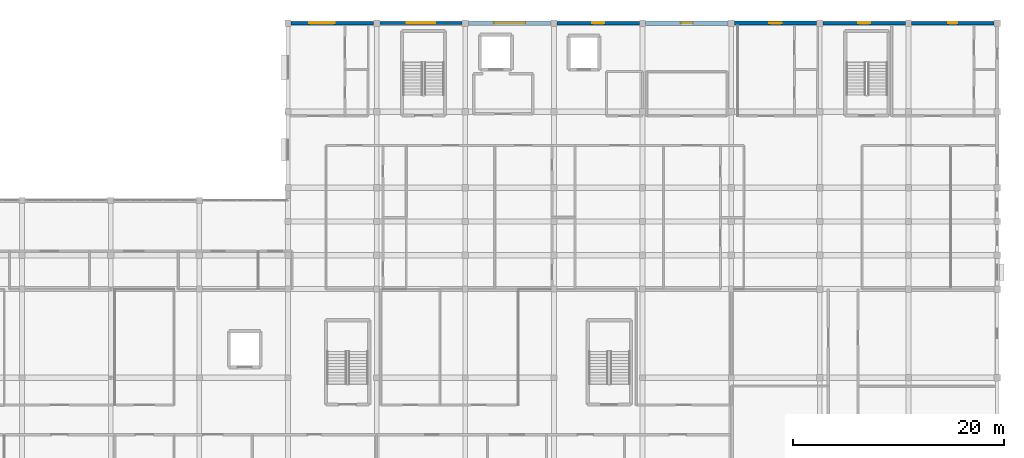
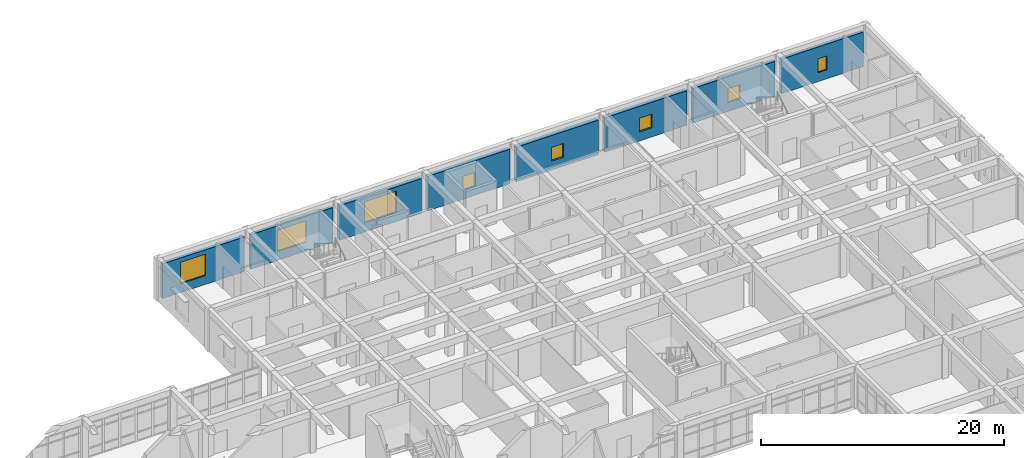
# One storey, part 62 of 77: 8 walls, 8 windows, 8 openings.
"""IFC4 building model written with IfcOpenShell, lengths in metres."""

from ifc_helpers import new_model, si_unit, direction, frame, frame_2d, origin, place, context, subcontext, project, spatial, rectangle, extrude, material, layer, layer_set, type_object, element, fill, save


model = new_model("IFC4")

# Units and contexts
model_context = context("Model", 3, precision=1e-05, world=origin(), true_north=direction((0.0, 1.0)))
body_context = subcontext(model_context, "Body", "Model", "MODEL_VIEW")
ifc_project = project(units=[si_unit("LENGTHUNIT", "METRE"), si_unit("AREAUNIT", "SQUARE_METRE"), si_unit("VOLUMEUNIT", "CUBIC_METRE"), si_unit("PLANEANGLEUNIT", "RADIAN"), si_unit("MASSUNIT", "GRAM", prefix="KILO")], contexts=[model_context])

# Site, building, storey
site_placement = place(None, origin())
site = spatial("IfcSite", under=ifc_project, at=site_placement, CompositionType="ELEMENT")
building_placement = place(site_placement, origin())
building = spatial("IfcBuilding", under=site, at=building_placement, Name="Varncliffe General Hospital", CompositionType="ELEMENT")
storey_placement = place(building_placement, frame((0.0, 0.0, 16.199951171875)))
storey = spatial("IfcBuildingStorey", under=building, at=storey_placement, Name="L03", CompositionType="ELEMENT", Elevation=16.199951171875)

# Wall, opening, window
ifc_material_1 = material(Name="Precast concrete C40/50 with insulated cream lime-cement stucco", Category="concrete")
ifc_layer_1 = layer(ifc_material_1, 0.31005859375)
ifc_layer_set_1 = layer_set([ifc_layer_1], Name="Precast concrete C40/50 with insulated cream lime-cement stucco")
wall_type_1 = type_object("IfcWallType", Name="Exterior Insulated Stucco Wall EW20 (310mm)", PredefinedType="SOLIDWALL", material=ifc_layer_set_1)
wall_1_placement = place(storey_placement, frame((109.498046875, 124.800048828125, 0.0), z_axis=(0.0, 0.0, 1.0), x_axis=(1.0, 0.0, 0.0)))
wall_1 = element("IfcWall", 1, at=wall_1_placement, inside=storey, type_object=wall_type_1, Name="L03 Exterior Stucco Wall EW20-250", PredefinedType="SOLIDWALL", context=body_context, shape_type="SweptSolid", body=[
    extrude(rectangle(XDim=7.803955078125, YDim=0.31005859375, at=frame_2d((3.90185546875, 0.0))), origin(), (0.0, 0.0, 1.0), 3.47998046875),
])
opening_1_placement = place(wall_1_placement, frame((1.711181640625, 0.0, 0.89990234375)))
opening_1 = element("IfcOpeningElement", 2, at=opening_1_placement, cuts=wall_1, Name="Opening WN61", PredefinedType="OPENING", context=body_context, shape_type="SweptSolid", body=[
    extrude(rectangle(XDim=2.39990234375, YDim=2.14990234375, at=frame_2d((1.199951171875, 1.074951171875))), frame((0.0, 0.1650390625, 0.0), z_axis=(0.0, -1.0, 0.0), x_axis=(1.0, 0.0, 0.0)), (0.0, 0.0, 1.0), 0.330078125),
])
ifc_material_2 = material(Name="Triple low-E argon insulated vision glazing", Category="glass")
window_type_1 = type_object("IfcWindowType", Name="Triple-Glazed Hospital Window WN61 (2400x2150)", PartitioningType="DOUBLE_PANEL_VERTICAL", PredefinedType="WINDOW", material=ifc_material_2)
window_1_placement = place(opening_1_placement, origin())
window_1 = element("IfcWindow", 3, at=window_1_placement, inside=storey, type_object=window_type_1, Name="L03 Hospital Window WN61-170", OverallHeight=2.14990234375, OverallWidth=2.39990234375, PartitioningType="DOUBLE_PANEL_VERTICAL", PredefinedType="WINDOW", context=body_context, shape_type="SweptSolid", body=[
    extrude(rectangle(XDim=2.39990234375, YDim=2.14990234375, at=frame_2d((1.199951171875, 1.074951171875))), frame((0.0, 0.030029296875, 0.0), z_axis=(0.0, -1.0, 0.0), x_axis=(1.0, 0.0, 0.0)), (0.0, 0.0, 1.0), 0.06005859375),
])
fill(opening_1, window_1)

ifc_layer_2 = layer(ifc_material_1, 0.3798828125)
ifc_layer_set_2 = layer_set([ifc_layer_2], Name="Precast concrete C40/50 with insulated cream lime-cement stucco")
wall_type_2 = type_object("IfcWallType", Name="Exterior Insulated Stucco Wall EW26 (380mm)", PredefinedType="SOLIDWALL", material=ifc_layer_set_2)
wall_2_placement = place(storey_placement, frame((126.298095703125, 124.800048828125, 0.0), z_axis=(0.0, 0.0, 1.0), x_axis=(1.0, 0.0, 0.0)))
wall_2 = element("IfcWall", 4, at=wall_2_placement, inside=storey, type_object=wall_type_2, Name="L03 Exterior Stucco Wall EW26-252", PredefinedType="SOLIDWALL", context=body_context, shape_type="SweptSolid", body=[
    extrude(rectangle(XDim=7.803955078125, YDim=0.3798828125, at=frame_2d((3.90185546875, 0.0))), origin(), (0.0, 0.0, 1.0), 3.47998046875),
])
opening_2_placement = place(wall_2_placement, frame((2.402099609375, 0.0, 0.89990234375)))
opening_2 = element("IfcOpeningElement", 5, at=opening_2_placement, cuts=wall_2, Name="Opening WN37", PredefinedType="OPENING", context=body_context, shape_type="SweptSolid", body=[
    extrude(rectangle(XDim=3.0, YDim=2.14990234375, at=frame_2d((1.5, 1.074951171875))), frame((0.0, 0.199951171875, 0.0), z_axis=(0.0, -1.0, 0.0), x_axis=(1.0, 0.0, 0.0)), (0.0, 0.0, 1.0), 0.39990234375),
])
window_type_2 = type_object("IfcWindowType", Name="Triple-Glazed Hospital Window WN37 (3000x2150)", PartitioningType="DOUBLE_PANEL_VERTICAL", PredefinedType="WINDOW", material=ifc_material_2)
window_2_placement = place(opening_2_placement, origin())
window_2 = element("IfcWindow", 6, at=window_2_placement, inside=storey, type_object=window_type_2, Name="L03 Hospital Window WN37-172", OverallHeight=2.14990234375, OverallWidth=3.0, PartitioningType="DOUBLE_PANEL_VERTICAL", PredefinedType="WINDOW", context=body_context, shape_type="SweptSolid", body=[
    extrude(rectangle(XDim=3.0, YDim=2.14990234375, at=frame_2d((1.5, 1.074951171875))), frame((0.0, 0.030029296875, 0.0), z_axis=(0.0, -1.0, 0.0), x_axis=(1.0, 0.0, 0.0)), (0.0, 0.0, 1.0), 0.06005859375),
])
fill(opening_2, window_2)

wall_3_placement = place(storey_placement, frame((151.498046875, 124.800048828125, 0.0), z_axis=(0.0, 0.0, 1.0), x_axis=(1.0, 0.0, 0.0)))
wall_3 = element("IfcWall", 7, at=wall_3_placement, inside=storey, type_object=wall_type_2, Name="L03 Exterior Stucco Wall EW26-255", PredefinedType="SOLIDWALL", context=body_context, shape_type="SweptSolid", body=[
    extrude(rectangle(XDim=7.803955078125, YDim=0.3798828125, at=frame_2d((3.90185546875, 0.0))), origin(), (0.0, 0.0, 1.0), 3.47998046875),
])
opening_3_placement = place(wall_3_placement, frame((3.326904296875, 0.0, 0.89990234375)))
opening_3 = element("IfcOpeningElement", 8, at=opening_3_placement, cuts=wall_3, Name="Opening WN62", PredefinedType="OPENING", context=body_context, shape_type="SweptSolid", body=[
    extrude(rectangle(XDim=1.14990234375, YDim=1.39990234375, at=frame_2d((0.574951171875, 0.699951171875))), frame((0.0, 0.199951171875, 0.0), z_axis=(0.0, -1.0, 0.0), x_axis=(1.0, 0.0, 0.0)), (0.0, 0.0, 1.0), 0.39990234375),
])
window_type_3 = type_object("IfcWindowType", Name="Triple-Glazed Hospital Window WN62 (1150x1400)", PartitioningType="SINGLE_PANEL", PredefinedType="WINDOW", material=ifc_material_2)
window_3_placement = place(opening_3_placement, origin())
window_3 = element("IfcWindow", 9, at=window_3_placement, inside=storey, type_object=window_type_3, Name="L03 Hospital Window WN62-175", OverallHeight=1.39990234375, OverallWidth=1.14990234375, PartitioningType="SINGLE_PANEL", PredefinedType="WINDOW", context=body_context, shape_type="SweptSolid", body=[
    extrude(rectangle(XDim=1.14990234375, YDim=1.39990234375, at=frame_2d((0.574951171875, 0.699951171875))), frame((0.0, 0.030029296875, 0.0), z_axis=(0.0, -1.0, 0.0), x_axis=(1.0, 0.0, 0.0)), (0.0, 0.0, 1.0), 0.06005859375),
])
fill(opening_3, window_3)

ifc_layer_3 = layer(ifc_material_1, 0.2900390625)
ifc_layer_set_3 = layer_set([ifc_layer_3], Name="Precast concrete C40/50 with insulated cream lime-cement stucco")
wall_type_3 = type_object("IfcWallType", Name="Exterior Insulated Stucco Wall EW31 (290mm)", PredefinedType="SOLIDWALL", material=ifc_layer_set_3)
wall_4_placement = place(storey_placement, frame((117.89794921875, 124.800048828125, 0.0), z_axis=(0.0, 0.0, 1.0), x_axis=(1.0, 0.0, 0.0)))
wall_4 = element("IfcWall", 10, at=wall_4_placement, inside=storey, type_object=wall_type_3, Name="L03 Exterior Stucco Wall EW31-251", PredefinedType="SOLIDWALL", context=body_context, shape_type="SweptSolid", body=[
    extrude(rectangle(XDim=7.803955078125, YDim=0.2900390625, at=frame_2d((3.90185546875, 0.0))), origin(), (0.0, 0.0, 1.0), 3.47998046875),
])
opening_4_placement = place(wall_4_placement, frame((2.552001953125, 0.0, 0.89990234375)))
opening_4 = element("IfcOpeningElement", 11, at=opening_4_placement, cuts=wall_4, Name="Opening WN58", PredefinedType="OPENING", context=body_context, shape_type="SweptSolid", body=[
    extrude(rectangle(XDim=2.699951171875, YDim=2.14990234375, at=frame_2d((1.35009765625, 1.074951171875))), frame((0.0, 0.155029296875, 0.0), z_axis=(0.0, -1.0, 0.0), x_axis=(1.0, 0.0, 0.0)), (0.0, 0.0, 1.0), 0.31005859375),
])
window_type_4 = type_object("IfcWindowType", Name="Triple-Glazed Hospital Window WN58 (2700x2150)", PartitioningType="DOUBLE_PANEL_VERTICAL", PredefinedType="WINDOW", material=ifc_material_2)
window_4_placement = place(opening_4_placement, origin())
window_4 = element("IfcWindow", 12, at=window_4_placement, inside=storey, type_object=window_type_4, Name="L03 Hospital Window WN58-171", OverallHeight=2.14990234375, OverallWidth=2.699951171875, PartitioningType="DOUBLE_PANEL_VERTICAL", PredefinedType="WINDOW", context=body_context, shape_type="SweptSolid", body=[
    extrude(rectangle(XDim=2.699951171875, YDim=2.14990234375, at=frame_2d((1.35009765625, 1.074951171875))), frame((0.0, 0.030029296875, 0.0), z_axis=(0.0, -1.0, 0.0), x_axis=(1.0, 0.0, 0.0)), (0.0, 0.0, 1.0), 0.06005859375),
])
fill(opening_4, window_4)

ifc_layer_4 = layer(ifc_material_1, 0.330078125)
ifc_layer_set_4 = layer_set([ifc_layer_4], Name="Precast concrete C40/50 with insulated cream lime-cement stucco")
wall_type_4 = type_object("IfcWallType", Name="Exterior Insulated Stucco Wall EW33 (330mm)", PredefinedType="SOLIDWALL", material=ifc_layer_set_4)
wall_5_placement = place(storey_placement, frame((168.298095703125, 124.800048828125, 0.0), z_axis=(0.0, 0.0, 1.0), x_axis=(1.0, 0.0, 0.0)))
wall_5 = element("IfcWall", 13, at=wall_5_placement, inside=storey, type_object=wall_type_4, Name="L03 Exterior Stucco Wall EW33-257", PredefinedType="SOLIDWALL", context=body_context, shape_type="SweptSolid", body=[
    extrude(rectangle(XDim=7.803955078125, YDim=0.330078125, at=frame_2d((3.90185546875, 0.0))), origin(), (0.0, 0.0, 1.0), 3.47998046875),
])
opening_5_placement = place(wall_5_placement, frame((3.47705078125, 0.0, 0.89990234375)))
opening_5 = element("IfcOpeningElement", 14, at=opening_5_placement, cuts=wall_5, Name="Opening WN77", PredefinedType="OPENING", context=body_context, shape_type="SweptSolid", body=[
    extrude(rectangle(XDim=0.85009765625, YDim=1.39990234375, at=frame_2d((0.425048828125, 0.699951171875))), frame((0.0, 0.175048828125, 0.0), z_axis=(0.0, -1.0, 0.0), x_axis=(1.0, 0.0, 0.0)), (0.0, 0.0, 1.0), 0.35009765625),
])
window_type_5 = type_object("IfcWindowType", Name="Triple-Glazed Hospital Window WN77 (850x1400)", PartitioningType="SINGLE_PANEL", PredefinedType="WINDOW", material=ifc_material_2)
window_5_placement = place(opening_5_placement, origin())
window_5 = element("IfcWindow", 15, at=window_5_placement, inside=storey, type_object=window_type_5, Name="L03 Hospital Window WN77-177", OverallHeight=1.39990234375, OverallWidth=0.85009765625, PartitioningType="SINGLE_PANEL", PredefinedType="WINDOW", context=body_context, shape_type="SweptSolid", body=[
    extrude(rectangle(XDim=0.85009765625, YDim=1.39990234375, at=frame_2d((0.425048828125, 0.699951171875))), frame((0.0, 0.030029296875, 0.0), z_axis=(0.0, -1.0, 0.0), x_axis=(1.0, 0.0, 0.0)), (0.0, 0.0, 1.0), 0.06005859375),
])
fill(opening_5, window_5)

ifc_layer_5 = layer(ifc_material_1, 0.35009765625)
ifc_layer_set_5 = layer_set([ifc_layer_5], Name="Precast concrete C40/50 with insulated cream lime-cement stucco")
wall_type_5 = type_object("IfcWallType", Name="Exterior Insulated Stucco Wall EW37 (350mm)", PredefinedType="SOLIDWALL", material=ifc_layer_set_5)
wall_6_placement = place(storey_placement, frame((134.697998046875, 124.800048828125, 0.0), z_axis=(0.0, 0.0, 1.0), x_axis=(1.0, 0.0, 0.0)))
wall_6 = element("IfcWall", 16, at=wall_6_placement, inside=storey, type_object=wall_type_5, Name="L03 Exterior Stucco Wall EW37-253", PredefinedType="SOLIDWALL", context=body_context, shape_type="SweptSolid", body=[
    extrude(rectangle(XDim=7.803955078125, YDim=0.35009765625, at=frame_2d((3.90185546875, 0.0))), origin(), (0.0, 0.0, 1.0), 3.47998046875),
])
opening_6_placement = place(wall_6_placement, frame((3.326904296875, 0.0, 0.89990234375)))
opening_6 = element("IfcOpeningElement", 17, at=opening_6_placement, cuts=wall_6, Name="Opening WN62", PredefinedType="OPENING", context=body_context, shape_type="SweptSolid", body=[
    extrude(rectangle(XDim=1.14990234375, YDim=1.39990234375, at=frame_2d((0.574951171875, 0.699951171875))), frame((0.0, 0.18505859375, 0.0), z_axis=(0.0, -1.0, 0.0), x_axis=(1.0, 0.0, 0.0)), (0.0, 0.0, 1.0), 0.3701171875),
])
window_6_placement = place(opening_6_placement, origin())
window_6 = element("IfcWindow", 18, at=window_6_placement, inside=storey, type_object=window_type_3, Name="L03 Hospital Window WN62-173", OverallHeight=1.39990234375, OverallWidth=1.14990234375, PartitioningType="SINGLE_PANEL", PredefinedType="WINDOW", context=body_context, shape_type="SweptSolid", body=[
    extrude(rectangle(XDim=1.14990234375, YDim=1.39990234375, at=frame_2d((0.574951171875, 0.699951171875))), frame((0.0, 0.030029296875, 0.0), z_axis=(0.0, -1.0, 0.0), x_axis=(1.0, 0.0, 0.0)), (0.0, 0.0, 1.0), 0.06005859375),
])
fill(opening_6, window_6)

wall_7_placement = place(storey_placement, frame((159.89794921875, 124.800048828125, 0.0), z_axis=(0.0, 0.0, 1.0), x_axis=(1.0, 0.0, 0.0)))
wall_7 = element("IfcWall", 19, at=wall_7_placement, inside=storey, type_object=wall_type_5, Name="L03 Exterior Stucco Wall EW37-256", PredefinedType="SOLIDWALL", context=body_context, shape_type="SweptSolid", body=[
    extrude(rectangle(XDim=7.803955078125, YDim=0.35009765625, at=frame_2d((3.90185546875, 0.0))), origin(), (0.0, 0.0, 1.0), 3.47998046875),
])
opening_7_placement = place(wall_7_placement, frame((3.326904296875, 0.0, 0.89990234375)))
opening_7 = element("IfcOpeningElement", 20, at=opening_7_placement, cuts=wall_7, Name="Opening WN62", PredefinedType="OPENING", context=body_context, shape_type="SweptSolid", body=[
    extrude(rectangle(XDim=1.14990234375, YDim=1.39990234375, at=frame_2d((0.574951171875, 0.699951171875))), frame((0.0, 0.18505859375, 0.0), z_axis=(0.0, -1.0, 0.0), x_axis=(1.0, 0.0, 0.0)), (0.0, 0.0, 1.0), 0.3701171875),
])
window_7_placement = place(opening_7_placement, origin())
window_7 = element("IfcWindow", 21, at=window_7_placement, inside=storey, type_object=window_type_3, Name="L03 Hospital Window WN62-176", OverallHeight=1.39990234375, OverallWidth=1.14990234375, PartitioningType="SINGLE_PANEL", PredefinedType="WINDOW", context=body_context, shape_type="SweptSolid", body=[
    extrude(rectangle(XDim=1.14990234375, YDim=1.39990234375, at=frame_2d((0.574951171875, 0.699951171875))), frame((0.0, 0.030029296875, 0.0), z_axis=(0.0, -1.0, 0.0), x_axis=(1.0, 0.0, 0.0)), (0.0, 0.0, 1.0), 0.06005859375),
])
fill(opening_7, window_7)

ifc_layer_6 = layer(ifc_material_1, 0.39990234375)
ifc_layer_set_6 = layer_set([ifc_layer_6], Name="Precast concrete C40/50 with insulated cream lime-cement stucco")
wall_type_6 = type_object("IfcWallType", Name="Exterior Insulated Stucco Wall EW47 (400mm)", PredefinedType="SOLIDWALL", material=ifc_layer_set_6)
wall_8_placement = place(storey_placement, frame((143.097900390625, 124.800048828125, 0.0), z_axis=(0.0, 0.0, 1.0), x_axis=(1.0, 0.0, 0.0)))
wall_8 = element("IfcWall", 22, at=wall_8_placement, inside=storey, type_object=wall_type_6, Name="L03 Exterior Stucco Wall EW47-254", PredefinedType="SOLIDWALL", context=body_context, shape_type="SweptSolid", body=[
    extrude(rectangle(XDim=7.80419921875, YDim=0.39990234375, at=frame_2d((3.902099609375, 0.0))), origin(), (0.0, 0.0, 1.0), 3.47998046875),
])
opening_8_placement = place(wall_8_placement, frame((3.326904296875, 0.0, 0.89990234375)))
opening_8 = element("IfcOpeningElement", 23, at=opening_8_placement, cuts=wall_8, Name="Opening WN62", PredefinedType="OPENING", context=body_context, shape_type="SweptSolid", body=[
    extrude(rectangle(XDim=1.14990234375, YDim=1.39990234375, at=frame_2d((0.574951171875, 0.699951171875))), frame((0.0, 0.2099609375, 0.0), z_axis=(0.0, -1.0, 0.0), x_axis=(1.0, 0.0, 0.0)), (0.0, 0.0, 1.0), 0.419921875),
])
window_8_placement = place(opening_8_placement, origin())
window_8 = element("IfcWindow", 24, at=window_8_placement, inside=storey, type_object=window_type_3, Name="L03 Hospital Window WN62-174", OverallHeight=1.39990234375, OverallWidth=1.14990234375, PartitioningType="SINGLE_PANEL", PredefinedType="WINDOW", context=body_context, shape_type="SweptSolid", body=[
    extrude(rectangle(XDim=1.14990234375, YDim=1.39990234375, at=frame_2d((0.574951171875, 0.699951171875))), frame((0.0, 0.030029296875, 0.0), z_axis=(0.0, -1.0, 0.0), x_axis=(1.0, 0.0, 0.0)), (0.0, 0.0, 1.0), 0.06005859375),
])
fill(opening_8, window_8)

save(model, "model.ifc")
